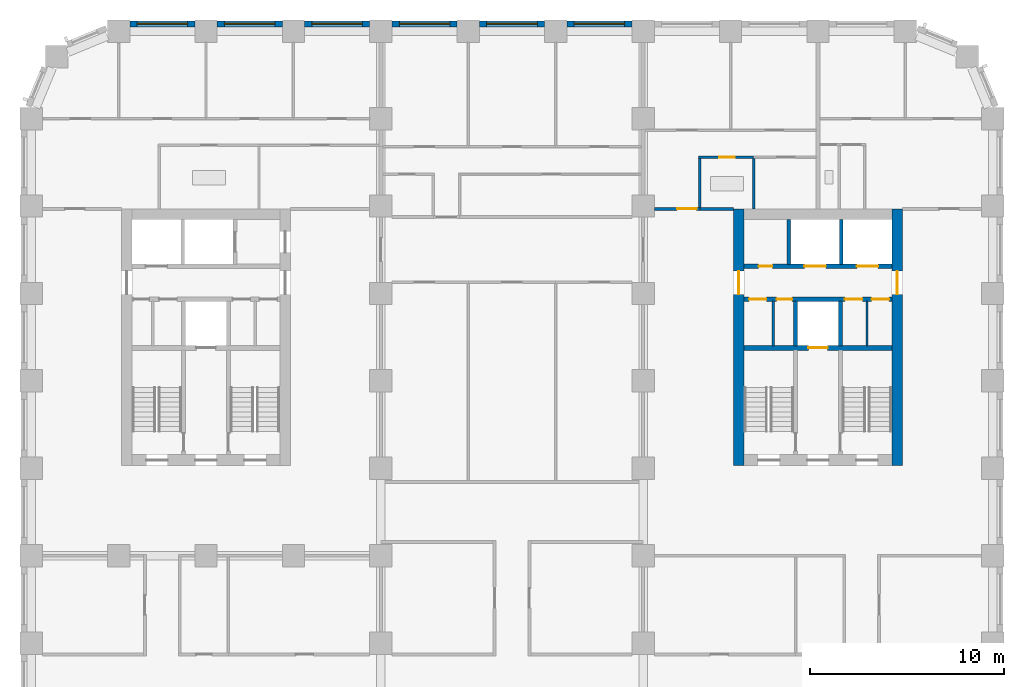
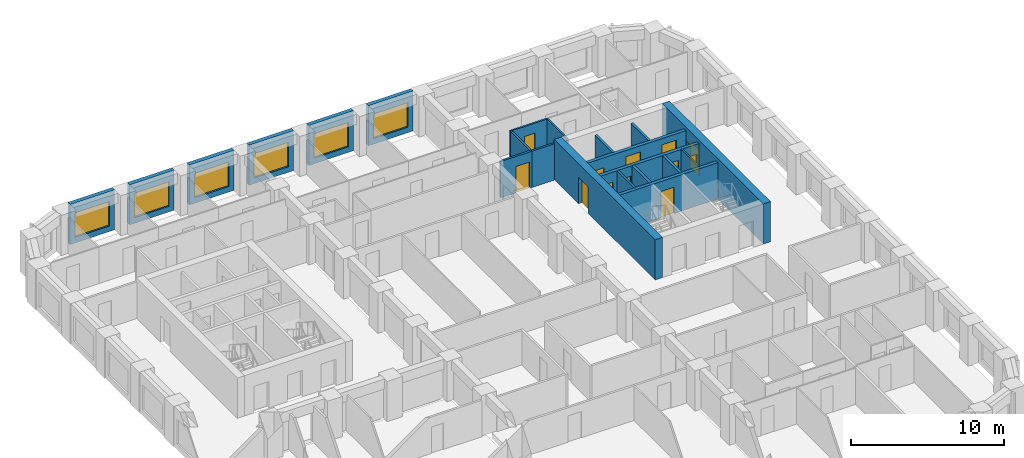
# One storey, part 8 of 13: 22 walls, 12 doors, 6 windows, 18 openings.
"""IFC4 building model written with IfcOpenShell, lengths in metres."""

from ifc_helpers import new_model, si_unit, direction, frame, frame_2d, origin, place, context, subcontext, project, spatial, rectangle, extrude, material, layer, layer_set, type_object, element, fill, save


model = new_model("IFC4")

# Units and contexts
model_context = context("Model", 3, precision=1e-05, world=origin(), true_north=direction((0.0, 1.0)))
body_context = subcontext(model_context, "Body", "Model", "MODEL_VIEW")
ifc_project = project(units=[si_unit("LENGTHUNIT", "METRE"), si_unit("AREAUNIT", "SQUARE_METRE"), si_unit("VOLUMEUNIT", "CUBIC_METRE"), si_unit("PLANEANGLEUNIT", "RADIAN"), si_unit("MASSUNIT", "GRAM", prefix="KILO")], contexts=[model_context])

# Site, building, storey
site_placement = place(None, origin())
site = spatial("IfcSite", under=ifc_project, at=site_placement, CompositionType="ELEMENT")
building_placement = place(site_placement, origin())
building = spatial("IfcBuilding", under=site, at=building_placement, Name="Girih Gate Residences", CompositionType="ELEMENT")
storey_placement = place(building_placement, frame((0.0, 0.0, 92.800048828125)))
storey = spatial("IfcBuildingStorey", under=building, at=storey_placement, Name="L25", CompositionType="ELEMENT", Elevation=92.800048828125)

# Wall
ifc_material_1 = material(Name="Gypsum board on steel studs", Category="steel")
ifc_layer_1 = layer(ifc_material_1, 0.14990234375)
ifc_layer_set_1 = layer_set([ifc_layer_1], Name="Compartment wall 150 mm")
wall_type_1 = type_object("IfcWallType", Name="Compartment wall 150 mm", PredefinedType="PARTITIONING", material=ifc_layer_set_1)
wall_1_placement = place(storey_placement, frame((34.425048828125, 40.35009765625, 0.0), z_axis=(0.0, 0.0, 1.0), x_axis=(1.0, 0.0, 0.0)))
element("IfcWall", 1, at=wall_1_placement, inside=storey, type_object=wall_type_1, Name="L25 partition", PredefinedType="PARTITIONING", context=body_context, shape_type="SweptSolid", body=[
    extrude(rectangle(XDim=1.724853515625, YDim=0.14990234375, at=frame_2d((0.8623046875, 0.0))), origin(), (0.0, 0.0, 1.0), 2.89990234375),
])

# Wall, opening, door
wall_2_placement = place(storey_placement, frame((32.074951171875, 40.35009765625, 0.0), z_axis=(0.0, 0.0, 1.0), x_axis=(1.0, 0.0, 0.0)))
wall_2 = element("IfcWall", 2, at=wall_2_placement, inside=storey, type_object=wall_type_1, Name="L25 partition", PredefinedType="PARTITIONING", context=body_context, shape_type="SweptSolid", body=[
    extrude(rectangle(XDim=2.35009765625, YDim=0.14990234375, at=frame_2d((1.175048828125, 0.0))), origin(), (0.0, 0.0, 1.0), 2.89990234375),
])
opening_1_placement = place(wall_2_placement, frame((1.175048828125, 0.0, 0.0)))
opening_1 = element("IfcOpeningElement", 3, at=opening_1_placement, cuts=wall_2, Name="Opening A25-034", PredefinedType="OPENING", context=body_context, shape_type="SweptSolid", body=[
    extrude(rectangle(XDim=1.0, YDim=2.10009765625, at=frame_2d((0.5, 1.050048828125))), frame((0.0, 0.0849609375, 0.0), z_axis=(0.0, -1.0, 0.0), x_axis=(1.0, 0.0, 0.0)), (0.0, 0.0, 1.0), 0.169921875),
])
ifc_material_2 = material(Name="Timber, fire-rated core", Category="wood")
door_type_1 = type_object("IfcDoorType", Name="Flat entrance door 1000x2100 FD30S", OperationType="NOTDEFINED", PredefinedType="DOOR", material=ifc_material_2)
door_1_placement = place(opening_1_placement, origin())
door_1 = element("IfcDoor", 4, at=door_1_placement, inside=storey, type_object=door_type_1, Name="Door A25-034", OperationType="SINGLE_SWING_RIGHT", OverallHeight=2.10009765625, OverallWidth=1.0, PredefinedType="DOOR", context=body_context, shape_type="SweptSolid", body=[
    extrude(rectangle(XDim=1.0, YDim=2.10009765625, at=frame_2d((0.5, 1.050048828125))), frame((0.0, 0.02490234375, 0.0), z_axis=(0.0, -1.0, 0.0), x_axis=(1.0, 0.0, 0.0)), (0.0, 0.0, 1.0), 0.050048828125),
])
fill(opening_1, door_1)

ifc_material_3 = material(Name="Concrete C60/75", Category="concrete")
ifc_layer_2 = layer(ifc_material_3, 0.550048828125)
ifc_layer_set_2 = layer_set([ifc_layer_2], Name="Core wall RC 550 Concrete C60/75")
wall_type_2 = type_object("IfcWallType", Name="Core wall RC 550 Concrete C60/75", PredefinedType="SOLIDWALL", material=ifc_layer_set_2)
wall_3_placement = place(storey_placement, frame((36.425048828125, 27.14990234375, 0.0), z_axis=(0.0, 0.0, 1.0), x_axis=(0.0, 1.0, 0.0)))
wall_3 = element("IfcWall", 5, at=wall_3_placement, inside=storey, type_object=wall_type_2, Name="Core wall E-W L25", PredefinedType="SOLIDWALL", context=body_context, shape_type="SweptSolid", body=[
    extrude(rectangle(XDim=13.2001953125, YDim=0.550048828125, at=frame_2d((6.60009765625, 0.0))), origin(), (0.0, 0.0, 1.0), 3.199951171875),
])
opening_2_placement = place(wall_3_placement, frame((8.800048828125, 0.0, 0.0)))
opening_2 = element("IfcOpeningElement", 6, at=opening_2_placement, cuts=wall_3, Name="Opening D-L25-E-014", PredefinedType="OPENING", context=body_context, shape_type="SweptSolid", body=[
    extrude(rectangle(XDim=1.199951171875, YDim=2.10009765625, at=frame_2d((0.60009765625, 1.050048828125))), frame((0.0, 0.284912109375, 0.0), z_axis=(0.0, -1.0, 0.0), x_axis=(1.0, 0.0, 0.0)), (0.0, 0.0, 1.0), 0.570068359375),
])
ifc_material_4 = material(Name="Painted steel, fire-resisting", Category="steel")
door_type_2 = type_object("IfcDoorType", Name="Fire door 1200x2100", OperationType="SINGLE_SWING_LEFT", PredefinedType="DOOR", material=ifc_material_4)
door_2_placement = place(opening_2_placement, origin())
door_2 = element("IfcDoor", 7, at=door_2_placement, inside=storey, type_object=door_type_2, Name="L25 E core door ll-w", OperationType="SINGLE_SWING_LEFT", OverallHeight=2.10009765625, OverallWidth=1.199951171875, PredefinedType="DOOR", context=body_context, shape_type="SweptSolid", body=[
    extrude(rectangle(XDim=1.199951171875, YDim=2.10009765625, at=frame_2d((0.60009765625, 1.050048828125))), frame((0.0, 0.02490234375, 0.0), z_axis=(0.0, -1.0, 0.0), x_axis=(1.0, 0.0, 0.0)), (0.0, 0.0, 1.0), 0.050048828125),
])
fill(opening_2, door_2)

wall_4_placement = place(storey_placement, frame((44.574951171875, 27.14990234375, 0.0), z_axis=(0.0, 0.0, 1.0), x_axis=(0.0, 1.0, 0.0)))
wall_4 = element("IfcWall", 8, at=wall_4_placement, inside=storey, type_object=wall_type_2, Name="Core wall E-E L25", PredefinedType="SOLIDWALL", context=body_context, shape_type="SweptSolid", body=[
    extrude(rectangle(XDim=13.2001953125, YDim=0.550048828125, at=frame_2d((6.60009765625, 0.0))), origin(), (0.0, 0.0, 1.0), 3.199951171875),
])
opening_3_placement = place(wall_4_placement, frame((8.800048828125, 0.0, 0.0)))
opening_3 = element("IfcOpeningElement", 9, at=opening_3_placement, cuts=wall_4, Name="Opening D-L25-E-015", PredefinedType="OPENING", context=body_context, shape_type="SweptSolid", body=[
    extrude(rectangle(XDim=1.199951171875, YDim=2.10009765625, at=frame_2d((0.60009765625, 1.050048828125))), frame((0.0, 0.284912109375, 0.0), z_axis=(0.0, -1.0, 0.0), x_axis=(1.0, 0.0, 0.0)), (0.0, 0.0, 1.0), 0.570068359375),
])
door_3_placement = place(opening_3_placement, origin())
door_3 = element("IfcDoor", 10, at=door_3_placement, inside=storey, type_object=door_type_2, Name="L25 E core door ll-e", OperationType="SINGLE_SWING_LEFT", OverallHeight=2.10009765625, OverallWidth=1.199951171875, PredefinedType="DOOR", context=body_context, shape_type="SweptSolid", body=[
    extrude(rectangle(XDim=1.199951171875, YDim=2.10009765625, at=frame_2d((0.60009765625, 1.050048828125))), frame((0.0, 0.02490234375, 0.0), z_axis=(0.0, -1.0, 0.0), x_axis=(1.0, 0.0, 0.0)), (0.0, 0.0, 1.0), 0.050048828125),
])
fill(opening_3, door_3)

ifc_material_5 = material(Name="Concrete C40/50", Category="concrete")
ifc_layer_3 = layer(ifc_material_5, 0.25)
ifc_layer_set_3 = layer_set([ifc_layer_3], Name="Lift shaft wall 250")
wall_type_3 = type_object("IfcWallType", Name="Lift shaft wall 250", PredefinedType="SOLIDWALL", material=ifc_layer_set_3)
wall_5_placement = place(storey_placement, frame((36.699951171875, 33.199951171875, 0.0), z_axis=(0.0, 0.0, 1.0), x_axis=(1.0, 0.0, 0.0)))
wall_5 = element("IfcWall", 11, at=wall_5_placement, inside=storey, type_object=wall_type_3, Name="L25 E core wall H1", PredefinedType="SOLIDWALL", context=body_context, shape_type="SweptSolid", body=[
    extrude(rectangle(XDim=7.60009765625, YDim=0.25, at=frame_2d((3.800048828125, 0.0))), origin(), (0.0, 0.0, 1.0), 2.89990234375),
])
opening_4_placement = place(wall_5_placement, frame((3.300048828125, 0.0, 0.0)))
opening_4 = element("IfcOpeningElement", 12, at=opening_4_placement, cuts=wall_5, Name="Opening D-L25-E-005", PredefinedType="OPENING", context=body_context, shape_type="SweptSolid", body=[
    extrude(rectangle(XDim=1.0, YDim=2.10009765625, at=frame_2d((0.5, 1.050048828125))), frame((0.0, 0.135009765625, 0.0), z_axis=(0.0, -1.0, 0.0), x_axis=(1.0, 0.0, 0.0)), (0.0, 0.0, 1.0), 0.27001953125),
])
ifc_material_6 = material(Name="Stainless steel, fire-resisting", Category="steel")
door_type_3 = type_object("IfcDoorType", Name="Firefighting lift landing door 1000x2100", OperationType="SLIDING_TO_LEFT", PredefinedType="DOOR", material=ifc_material_6)
door_4_placement = place(opening_4_placement, origin())
door_4 = element("IfcDoor", 13, at=door_4_placement, inside=storey, type_object=door_type_3, Name="L25 lift FF-E landing door", OperationType="SLIDING_TO_LEFT", OverallHeight=2.10009765625, OverallWidth=1.0, PredefinedType="DOOR", context=body_context, shape_type="SweptSolid", body=[
    extrude(rectangle(XDim=1.0, YDim=2.10009765625, at=frame_2d((0.5, 1.050048828125))), frame((0.0, 0.02490234375, 0.0), z_axis=(0.0, -1.0, 0.0), x_axis=(1.0, 0.0, 0.0)), (0.0, 0.0, 1.0), 0.050048828125),
])
fill(opening_4, door_4)

# Wall, openings, doors
wall_6_placement = place(storey_placement, frame((36.699951171875, 35.699951171875, 0.0), z_axis=(0.0, 0.0, 1.0), x_axis=(1.0, 0.0, 0.0)))
wall_6 = element("IfcWall", 14, at=wall_6_placement, inside=storey, type_object=wall_type_3, Name="L25 E core wall H2", PredefinedType="SOLIDWALL", context=body_context, shape_type="SweptSolid", body=[
    extrude(rectangle(XDim=7.60009765625, YDim=0.25, at=frame_2d((3.800048828125, 0.0))), origin(), (0.0, 0.0, 1.0), 2.89990234375),
])
opening_5_placement = place(wall_6_placement, frame((6.5625, 0.0, 0.0)))
opening_5 = element("IfcOpeningElement", 15, at=opening_5_placement, cuts=wall_6, Name="Opening D-L25-E-007", PredefinedType="OPENING", context=body_context, shape_type="SweptSolid", body=[
    extrude(rectangle(XDim=0.89990234375, YDim=2.10009765625, at=frame_2d((0.449951171875, 1.050048828125))), frame((0.0, 0.135009765625, 0.0), z_axis=(0.0, -1.0, 0.0), x_axis=(1.0, 0.0, 0.0)), (0.0, 0.0, 1.0), 0.27001953125),
])
opening_6_placement = place(wall_6_placement, frame((5.1875, 0.0, 0.0)))
opening_6 = element("IfcOpeningElement", 16, at=opening_6_placement, cuts=wall_6, Name="Opening D-L25-E-008", PredefinedType="OPENING", context=body_context, shape_type="SweptSolid", body=[
    extrude(rectangle(XDim=0.89990234375, YDim=2.10009765625, at=frame_2d((0.449951171875, 1.050048828125))), frame((0.0, 0.135009765625, 0.0), z_axis=(0.0, -1.0, 0.0), x_axis=(1.0, 0.0, 0.0)), (0.0, 0.0, 1.0), 0.27001953125),
])
opening_7_placement = place(wall_6_placement, frame((1.675048828125, 0.0, 0.0)))
opening_7 = element("IfcOpeningElement", 17, at=opening_7_placement, cuts=wall_6, Name="Opening D-L25-E-009", PredefinedType="OPENING", context=body_context, shape_type="SweptSolid", body=[
    extrude(rectangle(XDim=0.800048828125, YDim=2.10009765625, at=frame_2d((0.39990234375, 1.050048828125))), frame((0.0, 0.135009765625, 0.0), z_axis=(0.0, -1.0, 0.0), x_axis=(1.0, 0.0, 0.0)), (0.0, 0.0, 1.0), 0.27001953125),
])
opening_8_placement = place(wall_6_placement, frame((0.25, 0.0, 0.0)))
opening_8 = element("IfcOpeningElement", 18, at=opening_8_placement, cuts=wall_6, Name="Opening D-L25-E-010", PredefinedType="OPENING", context=body_context, shape_type="SweptSolid", body=[
    extrude(rectangle(XDim=0.89990234375, YDim=2.10009765625, at=frame_2d((0.449951171875, 1.050048828125))), frame((0.0, 0.135009765625, 0.0), z_axis=(0.0, -1.0, 0.0), x_axis=(1.0, 0.0, 0.0)), (0.0, 0.0, 1.0), 0.27001953125),
])
door_type_4 = type_object("IfcDoorType", Name="Fire door 800x2100", OperationType="SINGLE_SWING_LEFT", PredefinedType="DOOR", material=ifc_material_4)
door_5_placement = place(opening_7_placement, origin())
door_5 = element("IfcDoor", 19, at=door_5_placement, inside=storey, type_object=door_type_4, Name="L25 E refuse store door", OperationType="SINGLE_SWING_LEFT", OverallHeight=2.10009765625, OverallWidth=0.800048828125, PredefinedType="DOOR", context=body_context, shape_type="SweptSolid", body=[
    extrude(rectangle(XDim=0.800048828125, YDim=2.10009765625, at=frame_2d((0.39990234375, 1.050048828125))), frame((0.0, 0.02490234375, 0.0), z_axis=(0.0, -1.0, 0.0), x_axis=(1.0, 0.0, 0.0)), (0.0, 0.0, 1.0), 0.050048828125),
])
fill(opening_7, door_5)
door_type_5 = type_object("IfcDoorType", Name="Fire door 900x2100", OperationType="SINGLE_SWING_LEFT", PredefinedType="DOOR", material=ifc_material_4)
door_6_placement = place(opening_5_placement, origin())
door_6 = element("IfcDoor", 20, at=door_6_placement, inside=storey, type_object=door_type_5, Name="L25 E store door", OperationType="SINGLE_SWING_LEFT", OverallHeight=2.10009765625, OverallWidth=0.89990234375, PredefinedType="DOOR", context=body_context, shape_type="SweptSolid", body=[
    extrude(rectangle(XDim=0.89990234375, YDim=2.10009765625, at=frame_2d((0.449951171875, 1.050048828125))), frame((0.0, 0.02490234375, 0.0), z_axis=(0.0, -1.0, 0.0), x_axis=(1.0, 0.0, 0.0)), (0.0, 0.0, 1.0), 0.050048828125),
])
fill(opening_5, door_6)
door_7_placement = place(opening_6_placement, origin())
door_7 = element("IfcDoor", 21, at=door_7_placement, inside=storey, type_object=door_type_5, Name="L25 E comms room door", OperationType="SINGLE_SWING_LEFT", OverallHeight=2.10009765625, OverallWidth=0.89990234375, PredefinedType="DOOR", context=body_context, shape_type="SweptSolid", body=[
    extrude(rectangle(XDim=0.89990234375, YDim=2.10009765625, at=frame_2d((0.449951171875, 1.050048828125))), frame((0.0, 0.02490234375, 0.0), z_axis=(0.0, -1.0, 0.0), x_axis=(1.0, 0.0, 0.0)), (0.0, 0.0, 1.0), 0.050048828125),
])
fill(opening_6, door_7)
door_8_placement = place(opening_8_placement, origin())
door_8 = element("IfcDoor", 22, at=door_8_placement, inside=storey, type_object=door_type_5, Name="L25 E cleaners store door", OperationType="SINGLE_SWING_LEFT", OverallHeight=2.10009765625, OverallWidth=0.89990234375, PredefinedType="DOOR", context=body_context, shape_type="SweptSolid", body=[
    extrude(rectangle(XDim=0.89990234375, YDim=2.10009765625, at=frame_2d((0.449951171875, 1.050048828125))), frame((0.0, 0.02490234375, 0.0), z_axis=(0.0, -1.0, 0.0), x_axis=(1.0, 0.0, 0.0)), (0.0, 0.0, 1.0), 0.050048828125),
])
fill(opening_8, door_8)

wall_7_placement = place(storey_placement, frame((36.699951171875, 37.39990234375, 0.0), z_axis=(0.0, 0.0, 1.0), x_axis=(1.0, 0.0, 0.0)))
wall_7 = element("IfcWall", 23, at=wall_7_placement, inside=storey, type_object=wall_type_3, Name="L25 E core wall H3", PredefinedType="SOLIDWALL", context=body_context, shape_type="SweptSolid", body=[
    extrude(rectangle(XDim=7.60009765625, YDim=0.25, at=frame_2d((3.800048828125, 0.0))), origin(), (0.0, 0.0, 1.0), 2.89990234375),
])
opening_9_placement = place(wall_7_placement, frame((5.800048828125, 0.0, 0.0)))
opening_9 = element("IfcOpeningElement", 24, at=opening_9_placement, cuts=wall_7, Name="Opening D-L25-E-003", PredefinedType="OPENING", context=body_context, shape_type="SweptSolid", body=[
    extrude(rectangle(XDim=1.10009765625, YDim=2.39990234375, at=frame_2d((0.550048828125, 1.199951171875))), frame((0.0, 0.135009765625, 0.0), z_axis=(0.0, -1.0, 0.0), x_axis=(1.0, 0.0, 0.0)), (0.0, 0.0, 1.0), 0.27001953125),
])
opening_10_placement = place(wall_7_placement, frame((3.10009765625, 0.0, 0.0)))
opening_10 = element("IfcOpeningElement", 25, at=opening_10_placement, cuts=wall_7, Name="Opening D-L25-E-004", PredefinedType="OPENING", context=body_context, shape_type="SweptSolid", body=[
    extrude(rectangle(XDim=1.10009765625, YDim=2.39990234375, at=frame_2d((0.550048828125, 1.199951171875))), frame((0.0, 0.135009765625, 0.0), z_axis=(0.0, -1.0, 0.0), x_axis=(1.0, 0.0, 0.0)), (0.0, 0.0, 1.0), 0.27001953125),
])
opening_11_placement = place(wall_7_placement, frame((0.75, 0.0, 0.0)))
opening_11 = element("IfcOpeningElement", 26, at=opening_11_placement, cuts=wall_7, Name="Opening D-L25-E-006", PredefinedType="OPENING", context=body_context, shape_type="SweptSolid", body=[
    extrude(rectangle(XDim=0.699951171875, YDim=2.10009765625, at=frame_2d((0.35009765625, 1.050048828125))), frame((0.0, 0.135009765625, 0.0), z_axis=(0.0, -1.0, 0.0), x_axis=(1.0, 0.0, 0.0)), (0.0, 0.0, 1.0), 0.27001953125),
])
ifc_material_7 = material(Name="Stainless steel", Category="steel")
door_type_6 = type_object("IfcDoorType", Name="Lift landing door 1100x2400", OperationType="SLIDING_TO_LEFT", PredefinedType="DOOR", material=ifc_material_7)
door_9_placement = place(opening_9_placement, origin())
door_9 = element("IfcDoor", 27, at=door_9_placement, inside=storey, type_object=door_type_6, Name="L25 lift LR-E1 landing door", OperationType="SLIDING_TO_LEFT", OverallHeight=2.39990234375, OverallWidth=1.10009765625, PredefinedType="DOOR", context=body_context, shape_type="SweptSolid", body=[
    extrude(rectangle(XDim=1.10009765625, YDim=2.39990234375, at=frame_2d((0.550048828125, 1.199951171875))), frame((0.0, 0.02490234375, 0.0), z_axis=(0.0, -1.0, 0.0), x_axis=(1.0, 0.0, 0.0)), (0.0, 0.0, 1.0), 0.050048828125),
])
fill(opening_9, door_9)
door_10_placement = place(opening_10_placement, origin())
door_10 = element("IfcDoor", 28, at=door_10_placement, inside=storey, type_object=door_type_6, Name="L25 lift LR-E2 landing door", OperationType="SLIDING_TO_LEFT", OverallHeight=2.39990234375, OverallWidth=1.10009765625, PredefinedType="DOOR", context=body_context, shape_type="SweptSolid", body=[
    extrude(rectangle(XDim=1.10009765625, YDim=2.39990234375, at=frame_2d((0.550048828125, 1.199951171875))), frame((0.0, 0.02490234375, 0.0), z_axis=(0.0, -1.0, 0.0), x_axis=(1.0, 0.0, 0.0)), (0.0, 0.0, 1.0), 0.050048828125),
])
fill(opening_10, door_10)
door_type_7 = type_object("IfcDoorType", Name="Riser access door 700x2100", OperationType="SINGLE_SWING_LEFT", PredefinedType="DOOR", material=ifc_material_4)
door_11_placement = place(opening_11_placement, origin())
door_11 = element("IfcDoor", 29, at=door_11_placement, inside=storey, type_object=door_type_7, Name="L25 E riser room door", OperationType="SINGLE_SWING_LEFT", OverallHeight=2.10009765625, OverallWidth=0.699951171875, PredefinedType="DOOR", context=body_context, shape_type="SweptSolid", body=[
    extrude(rectangle(XDim=0.699951171875, YDim=2.10009765625, at=frame_2d((0.35009765625, 1.050048828125))), frame((0.0, 0.02490234375, 0.0), z_axis=(0.0, -1.0, 0.0), x_axis=(1.0, 0.0, 0.0)), (0.0, 0.0, 1.0), 0.050048828125),
])
fill(opening_11, door_11)

# Wall, opening, window
ifc_material_8 = material(Name="Precast concrete C50/60", Category="concrete")
ifc_layer_4 = layer(ifc_material_8, 0.080078125, Name="Outer leaf")
ifc_material_9 = material(Name="Rigid PIR insulation")
ifc_layer_5 = layer(ifc_material_9, 0.14990234375, Name="Insulation")
ifc_material_10 = material(Name="Precast concrete C40/50", Category="concrete")
ifc_layer_6 = layer(ifc_material_10, 0.070068359375, Name="Inner leaf")
ifc_layer_set_4 = layer_set([ifc_layer_4, ifc_layer_5, ifc_layer_6], Name="Precast concrete C50/60 external wall 300")
wall_type_4 = type_object("IfcWallType", Name="Precast concrete C50/60 external wall 300", PredefinedType="SOLIDWALL", material=ifc_layer_set_4)
wall_8_placement = place(storey_placement, frame((27.574951171875, 49.875, 0.0), z_axis=(0.0, 0.0, 1.0), x_axis=(1.0, 0.0, 0.0)))
wall_8 = element("IfcWall", 30, at=wall_8_placement, inside=storey, type_object=wall_type_4, Name="External wall N0450_0495.3", PredefinedType="SOLIDWALL", context=body_context, shape_type="SweptSolid", body=[
    extrude(rectangle(XDim=3.35009765625, YDim=0.300048828125, at=frame_2d((1.675048828125, 0.0))), origin(), (0.0, 0.0, 1.0), 3.199951171875),
])
opening_12_placement = place(wall_8_placement, frame((0.375, 0.0, 0.449951171875)))
opening_12 = element("IfcOpeningElement", 31, at=opening_12_placement, cuts=wall_8, Name="Opening W-1A", PredefinedType="OPENING", context=body_context, shape_type="SweptSolid", body=[
    extrude(rectangle(XDim=2.60009765625, YDim=1.949951171875, at=frame_2d((1.300048828125, 0.97509765625))), frame((0.0, 0.159912109375, 0.0), z_axis=(0.0, -1.0, 0.0), x_axis=(1.0, 0.0, 0.0)), (0.0, 0.0, 1.0), 0.320068359375),
])
ifc_material_11 = material(Name="Double glazing in aluminium frame", Category="aluminium")
window_type = type_object("IfcWindowType", Name="Window W-1A 2600x1950", PartitioningType="SINGLE_PANEL", PredefinedType="WINDOW", material=ifc_material_11)
window_1_placement = place(opening_12_placement, origin())
window_1 = element("IfcWindow", 32, at=window_1_placement, inside=storey, type_object=window_type, Name="Window W-1A N0450_0495.3", OverallHeight=1.949951171875, OverallWidth=2.60009765625, PartitioningType="SINGLE_PANEL", PredefinedType="WINDOW", context=body_context, shape_type="SweptSolid", body=[
    extrude(rectangle(XDim=2.60009765625, YDim=1.949951171875, at=frame_2d((1.300048828125, 0.97509765625))), frame((0.0, 0.030029296875, 0.0), z_axis=(0.0, -1.0, 0.0), x_axis=(1.0, 0.0, 0.0)), (0.0, 0.0, 1.0), 0.06005859375),
])
fill(opening_12, window_1)

wall_9_placement = place(storey_placement, frame((23.074951171875, 49.875, 0.0), z_axis=(0.0, 0.0, 1.0), x_axis=(1.0, 0.0, 0.0)))
wall_9 = element("IfcWall", 33, at=wall_9_placement, inside=storey, type_object=wall_type_4, Name="External wall N0450_0495.4", PredefinedType="SOLIDWALL", context=body_context, shape_type="SweptSolid", body=[
    extrude(rectangle(XDim=3.35009765625, YDim=0.300048828125, at=frame_2d((1.675048828125, 0.0))), origin(), (0.0, 0.0, 1.0), 3.199951171875),
])
opening_13_placement = place(wall_9_placement, frame((0.375, 0.0, 0.449951171875)))
opening_13 = element("IfcOpeningElement", 34, at=opening_13_placement, cuts=wall_9, Name="Opening W-1A", PredefinedType="OPENING", context=body_context, shape_type="SweptSolid", body=[
    extrude(rectangle(XDim=2.60009765625, YDim=1.949951171875, at=frame_2d((1.300048828125, 0.97509765625))), frame((0.0, 0.159912109375, 0.0), z_axis=(0.0, -1.0, 0.0), x_axis=(1.0, 0.0, 0.0)), (0.0, 0.0, 1.0), 0.320068359375),
])
window_2_placement = place(opening_13_placement, origin())
window_2 = element("IfcWindow", 35, at=window_2_placement, inside=storey, type_object=window_type, Name="Window W-1A N0450_0495.4", OverallHeight=1.949951171875, OverallWidth=2.60009765625, PartitioningType="SINGLE_PANEL", PredefinedType="WINDOW", context=body_context, shape_type="SweptSolid", body=[
    extrude(rectangle(XDim=2.60009765625, YDim=1.949951171875, at=frame_2d((1.300048828125, 0.97509765625))), frame((0.0, 0.030029296875, 0.0), z_axis=(0.0, -1.0, 0.0), x_axis=(1.0, 0.0, 0.0)), (0.0, 0.0, 1.0), 0.06005859375),
])
fill(opening_13, window_2)

wall_10_placement = place(storey_placement, frame((18.574951171875, 49.875, 0.0), z_axis=(0.0, 0.0, 1.0), x_axis=(1.0, 0.0, 0.0)))
wall_10 = element("IfcWall", 36, at=wall_10_placement, inside=storey, type_object=wall_type_4, Name="External wall N0450_0495.5", PredefinedType="SOLIDWALL", context=body_context, shape_type="SweptSolid", body=[
    extrude(rectangle(XDim=3.35009765625, YDim=0.300048828125, at=frame_2d((1.675048828125, 0.0))), origin(), (0.0, 0.0, 1.0), 3.199951171875),
])
opening_14_placement = place(wall_10_placement, frame((0.375, 0.0, 0.449951171875)))
opening_14 = element("IfcOpeningElement", 37, at=opening_14_placement, cuts=wall_10, Name="Opening W-1A", PredefinedType="OPENING", context=body_context, shape_type="SweptSolid", body=[
    extrude(rectangle(XDim=2.60009765625, YDim=1.949951171875, at=frame_2d((1.300048828125, 0.97509765625))), frame((0.0, 0.159912109375, 0.0), z_axis=(0.0, -1.0, 0.0), x_axis=(1.0, 0.0, 0.0)), (0.0, 0.0, 1.0), 0.320068359375),
])
window_3_placement = place(opening_14_placement, origin())
window_3 = element("IfcWindow", 38, at=window_3_placement, inside=storey, type_object=window_type, Name="Window W-1A N0450_0495.5", OverallHeight=1.949951171875, OverallWidth=2.60009765625, PartitioningType="SINGLE_PANEL", PredefinedType="WINDOW", context=body_context, shape_type="SweptSolid", body=[
    extrude(rectangle(XDim=2.60009765625, YDim=1.949951171875, at=frame_2d((1.300048828125, 0.97509765625))), frame((0.0, 0.030029296875, 0.0), z_axis=(0.0, -1.0, 0.0), x_axis=(1.0, 0.0, 0.0)), (0.0, 0.0, 1.0), 0.06005859375),
])
fill(opening_14, window_3)

wall_11_placement = place(storey_placement, frame((14.074951171875, 49.875, 0.0), z_axis=(0.0, 0.0, 1.0), x_axis=(1.0, 0.0, 0.0)))
wall_11 = element("IfcWall", 39, at=wall_11_placement, inside=storey, type_object=wall_type_4, Name="External wall N0450_0495.6", PredefinedType="SOLIDWALL", context=body_context, shape_type="SweptSolid", body=[
    extrude(rectangle(XDim=3.35009765625, YDim=0.300048828125, at=frame_2d((1.675048828125, 0.0))), origin(), (0.0, 0.0, 1.0), 3.199951171875),
])
opening_15_placement = place(wall_11_placement, frame((0.375, 0.0, 0.449951171875)))
opening_15 = element("IfcOpeningElement", 40, at=opening_15_placement, cuts=wall_11, Name="Opening W-1A", PredefinedType="OPENING", context=body_context, shape_type="SweptSolid", body=[
    extrude(rectangle(XDim=2.60009765625, YDim=1.949951171875, at=frame_2d((1.300048828125, 0.97509765625))), frame((0.0, 0.159912109375, 0.0), z_axis=(0.0, -1.0, 0.0), x_axis=(1.0, 0.0, 0.0)), (0.0, 0.0, 1.0), 0.320068359375),
])
window_4_placement = place(opening_15_placement, origin())
window_4 = element("IfcWindow", 41, at=window_4_placement, inside=storey, type_object=window_type, Name="Window W-1A N0450_0495.6", OverallHeight=1.949951171875, OverallWidth=2.60009765625, PartitioningType="SINGLE_PANEL", PredefinedType="WINDOW", context=body_context, shape_type="SweptSolid", body=[
    extrude(rectangle(XDim=2.60009765625, YDim=1.949951171875, at=frame_2d((1.300048828125, 0.97509765625))), frame((0.0, 0.030029296875, 0.0), z_axis=(0.0, -1.0, 0.0), x_axis=(1.0, 0.0, 0.0)), (0.0, 0.0, 1.0), 0.06005859375),
])
fill(opening_15, window_4)

wall_12_placement = place(storey_placement, frame((9.574951171875, 49.875, 0.0), z_axis=(0.0, 0.0, 1.0), x_axis=(1.0, 0.0, 0.0)))
wall_12 = element("IfcWall", 42, at=wall_12_placement, inside=storey, type_object=wall_type_4, Name="External wall N0450_0495.7", PredefinedType="SOLIDWALL", context=body_context, shape_type="SweptSolid", body=[
    extrude(rectangle(XDim=3.35009765625, YDim=0.300048828125, at=frame_2d((1.675048828125, 0.0))), origin(), (0.0, 0.0, 1.0), 3.199951171875),
])
opening_16_placement = place(wall_12_placement, frame((0.375, 0.0, 0.449951171875)))
opening_16 = element("IfcOpeningElement", 43, at=opening_16_placement, cuts=wall_12, Name="Opening W-1A", PredefinedType="OPENING", context=body_context, shape_type="SweptSolid", body=[
    extrude(rectangle(XDim=2.60009765625, YDim=1.949951171875, at=frame_2d((1.300048828125, 0.97509765625))), frame((0.0, 0.159912109375, 0.0), z_axis=(0.0, -1.0, 0.0), x_axis=(1.0, 0.0, 0.0)), (0.0, 0.0, 1.0), 0.320068359375),
])
window_5_placement = place(opening_16_placement, origin())
window_5 = element("IfcWindow", 44, at=window_5_placement, inside=storey, type_object=window_type, Name="Window W-1A N0450_0495.7", OverallHeight=1.949951171875, OverallWidth=2.60009765625, PartitioningType="SINGLE_PANEL", PredefinedType="WINDOW", context=body_context, shape_type="SweptSolid", body=[
    extrude(rectangle(XDim=2.60009765625, YDim=1.949951171875, at=frame_2d((1.300048828125, 0.97509765625))), frame((0.0, 0.030029296875, 0.0), z_axis=(0.0, -1.0, 0.0), x_axis=(1.0, 0.0, 0.0)), (0.0, 0.0, 1.0), 0.06005859375),
])
fill(opening_16, window_5)

wall_13_placement = place(storey_placement, frame((5.074951171875, 49.875, 0.0), z_axis=(0.0, 0.0, 1.0), x_axis=(1.0, 0.0, 0.0)))
wall_13 = element("IfcWall", 45, at=wall_13_placement, inside=storey, type_object=wall_type_4, Name="External wall N0450_0495.8", PredefinedType="SOLIDWALL", context=body_context, shape_type="SweptSolid", body=[
    extrude(rectangle(XDim=3.35009765625, YDim=0.300048828125, at=frame_2d((1.675048828125, 0.0))), origin(), (0.0, 0.0, 1.0), 3.199951171875),
])
opening_17_placement = place(wall_13_placement, frame((0.375, 0.0, 0.449951171875)))
opening_17 = element("IfcOpeningElement", 46, at=opening_17_placement, cuts=wall_13, Name="Opening W-1A", PredefinedType="OPENING", context=body_context, shape_type="SweptSolid", body=[
    extrude(rectangle(XDim=2.60009765625, YDim=1.949951171875, at=frame_2d((1.300048828125, 0.97509765625))), frame((0.0, 0.159912109375, 0.0), z_axis=(0.0, -1.0, 0.0), x_axis=(1.0, 0.0, 0.0)), (0.0, 0.0, 1.0), 0.320068359375),
])
window_6_placement = place(opening_17_placement, origin())
window_6 = element("IfcWindow", 47, at=window_6_placement, inside=storey, type_object=window_type, Name="Window W-1A N0450_0495.8", OverallHeight=1.949951171875, OverallWidth=2.60009765625, PartitioningType="SINGLE_PANEL", PredefinedType="WINDOW", context=body_context, shape_type="SweptSolid", body=[
    extrude(rectangle(XDim=2.60009765625, YDim=1.949951171875, at=frame_2d((1.300048828125, 0.97509765625))), frame((0.0, 0.030029296875, 0.0), z_axis=(0.0, -1.0, 0.0), x_axis=(1.0, 0.0, 0.0)), (0.0, 0.0, 1.0), 0.06005859375),
])
fill(opening_17, window_6)

# Walls
ifc_layer_7 = layer(ifc_material_5, 0.175048828125)
ifc_layer_set_5 = layer_set([ifc_layer_7], Name="Riser shaft wall 175")
wall_type_5 = type_object("IfcWallType", Name="Riser shaft wall 175", PredefinedType="SOLIDWALL", material=ifc_layer_set_5)
for number, where, z_axis, x_axis, name in (
    (48, (41.699951171875, 37.5, 0.0), (0.0, 0.0, 1.0), (0.0, 1.0, 0.0), "L25 E core wall V1c"),
    (49, (39.0, 37.5, 0.0), (0.0, 0.0, 1.0), (0.0, 1.0, 0.0), "L25 E core wall V2c"),
):
    element("IfcWall", number, at=place(storey_placement, frame(where, z_axis=z_axis, x_axis=x_axis)), inside=storey, type_object=wall_type_5, Name=name, PredefinedType="SOLIDWALL", context=body_context, shape_type="SweptSolid", body=[
        extrude(rectangle(XDim=2.300048828125, YDim=0.175048828125, at=frame_2d((1.14990234375, 0.0))), origin(), (0.0, 0.0, 1.0), 2.89990234375),
    ])
ifc_layer_8 = layer(ifc_material_5, 0.199951171875)
ifc_layer_set_6 = layer_set([ifc_layer_8], Name="Shaft wall 200")
wall_type_6 = type_object("IfcWallType", Name="Shaft wall 200", PredefinedType="SOLIDWALL", material=ifc_layer_set_6)
for number, where, z_axis, x_axis, name in (
    (50, (41.64990234375, 33.300048828125, 0.0), (0.0, 0.0, 1.0), (0.0, 1.0, 0.0), "L25 E core wall V1b"),
    (51, (39.35009765625, 33.300048828125, 0.0), (0.0, 0.0, 1.0), (0.0, 1.0, 0.0), "L25 E core wall V2b"),
):
    element("IfcWall", number, at=place(storey_placement, frame(where, z_axis=z_axis, x_axis=x_axis)), inside=storey, type_object=wall_type_6, Name=name, PredefinedType="SOLIDWALL", context=body_context, shape_type="SweptSolid", body=[
        extrude(rectangle(XDim=2.300048828125, YDim=0.199951171875, at=frame_2d((1.14990234375, 0.0))), origin(), (0.0, 0.0, 1.0), 2.89990234375),
    ])
ifc_material_12 = material(Name="Calcium silicate blockwork", Category="masonry")
ifc_layer_9 = layer(ifc_material_12, 0.125)
ifc_layer_set_7 = layer_set([ifc_layer_9], Name="Store partition 125")
wall_type_7 = type_object("IfcWallType", Name="Store partition 125", PredefinedType="PARTITIONING", material=ifc_layer_set_7)
for number, where, z_axis, x_axis, name in (
    (52, (43.02490234375, 33.300048828125, 0.0), (0.0, 0.0, 1.0), (0.0, 1.0, 0.0), "L25 E core wall SHR1"),
    (53, (38.199951171875, 33.300048828125, 0.0), (0.0, 0.0, 1.0), (0.0, 1.0, 0.0), "L25 E core wall SHR2"),
):
    element("IfcWall", number, at=place(storey_placement, frame(where, z_axis=z_axis, x_axis=x_axis)), inside=storey, type_object=wall_type_7, Name=name, PredefinedType="PARTITIONING", context=body_context, shape_type="SweptSolid", body=[
        extrude(rectangle(XDim=2.300048828125, YDim=0.125, at=frame_2d((1.14990234375, 0.0))), origin(), (0.0, 0.0, 1.0), 2.89990234375),
    ])
ifc_layer_10 = layer(ifc_material_1, 0.125)
ifc_layer_set_8 = layer_set([ifc_layer_10], Name="Wet room wall 125 mm")
wall_type_8 = type_object("IfcWallType", Name="Wet room wall 125 mm", PredefinedType="PARTITIONING", material=ifc_layer_set_8)
wall_14_placement = place(storey_placement, frame((34.425048828125, 40.425048828125, 0.0), z_axis=(0.0, 0.0, 1.0), x_axis=(0.0, 1.0, 0.0)))
element("IfcWall", 54, at=wall_14_placement, inside=storey, type_object=wall_type_8, Name="L25 partition", PredefinedType="PARTITIONING", context=body_context, shape_type="SweptSolid", body=[
    extrude(rectangle(XDim=2.52734375, YDim=0.125, at=frame_2d((1.263671875, 0.0))), origin(), (0.0, 0.0, 1.0), 2.89990234375),
])

# Wall, opening, door
wall_15_placement = place(storey_placement, frame((37.1904296875, 43.014892578125, 0.0), z_axis=(0.0, 0.0, 1.0), x_axis=(-1.0, 0.0, 0.0)))
wall_15 = element("IfcWall", 55, at=wall_15_placement, inside=storey, type_object=wall_type_8, Name="L25 partition", PredefinedType="PARTITIONING", context=body_context, shape_type="SweptSolid", body=[
    extrude(rectangle(XDim=2.827880859375, YDim=0.125, at=frame_2d((1.4140625, 0.0))), origin(), (0.0, 0.0, 1.0), 2.89990234375),
])
opening_18_placement = place(wall_15_placement, frame((0.98291015625, 0.0, 0.0)))
opening_18 = element("IfcOpeningElement", 56, at=opening_18_placement, cuts=wall_15, Name="Opening A25-030", PredefinedType="OPENING", context=body_context, shape_type="SweptSolid", body=[
    extrude(rectangle(XDim=0.800048828125, YDim=2.10009765625, at=frame_2d((0.39990234375, 1.050048828125))), frame((0.0, 0.072509765625, 0.0), z_axis=(0.0, -1.0, 0.0), x_axis=(1.0, 0.0, 0.0)), (0.0, 0.0, 1.0), 0.14501953125),
])
ifc_material_13 = material(Name="Timber", Category="wood")
door_type_8 = type_object("IfcDoorType", Name="Bathroom door 800x2100", OperationType="NOTDEFINED", PredefinedType="DOOR", material=ifc_material_13)
door_12_placement = place(opening_18_placement, origin())
door_12 = element("IfcDoor", 57, at=door_12_placement, inside=storey, type_object=door_type_8, Name="Door A25-030", OperationType="SINGLE_SWING_LEFT", OverallHeight=2.10009765625, OverallWidth=0.800048828125, PredefinedType="DOOR", context=body_context, shape_type="SweptSolid", body=[
    extrude(rectangle(XDim=0.800048828125, YDim=2.10009765625, at=frame_2d((0.39990234375, 1.050048828125))), frame((0.0, 0.02490234375, 0.0), z_axis=(0.0, -1.0, 0.0), x_axis=(1.0, 0.0, 0.0)), (0.0, 0.0, 1.0), 0.050048828125),
])
fill(opening_18, door_12)

# Wall
wall_16_placement = place(storey_placement, frame((37.19091796875, 40.35009765625, 0.0), z_axis=(0.0, 0.0, 1.0), x_axis=(0.0, 1.0, 0.0)))
element("IfcWall", 58, at=wall_16_placement, inside=storey, type_object=wall_type_8, Name="L25 partition", PredefinedType="PARTITIONING", context=body_context, shape_type="SweptSolid", body=[
    extrude(rectangle(XDim=2.602294921875, YDim=0.125, at=frame_2d((1.30126953125, 0.0))), origin(), (0.0, 0.0, 1.0), 2.89990234375),
])

save(model, "model.ifc")
